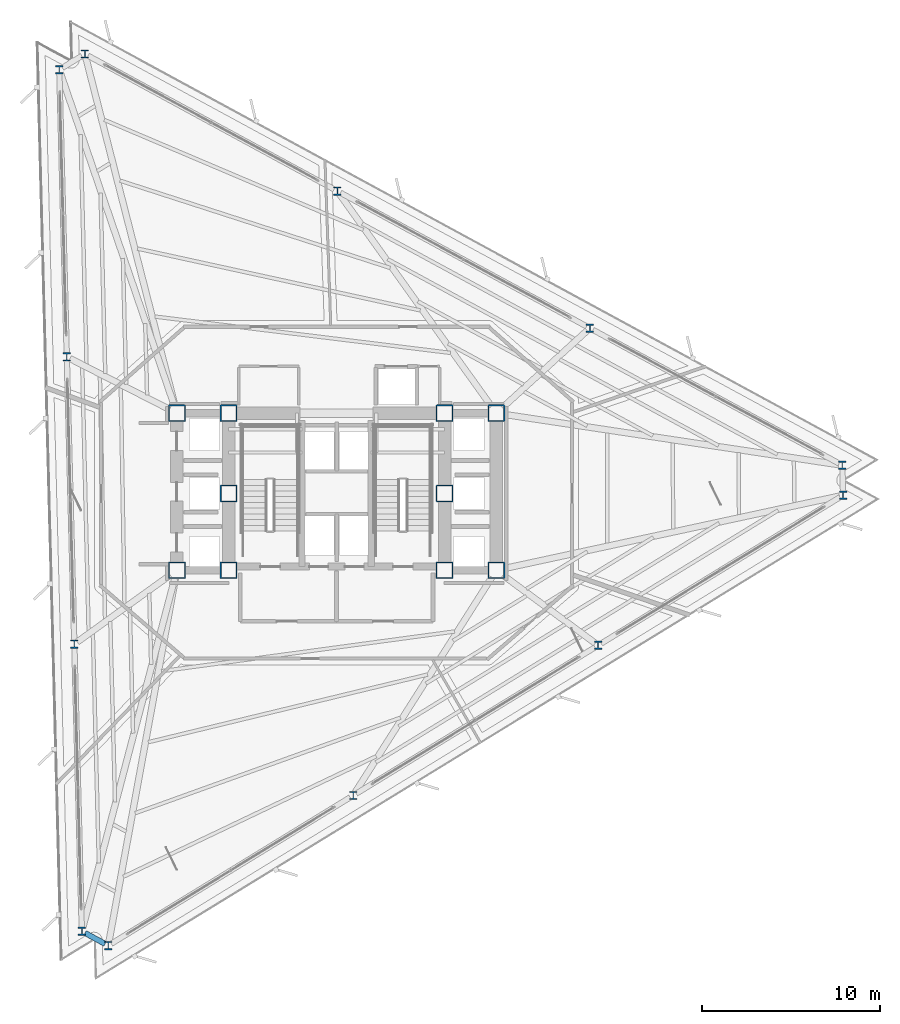
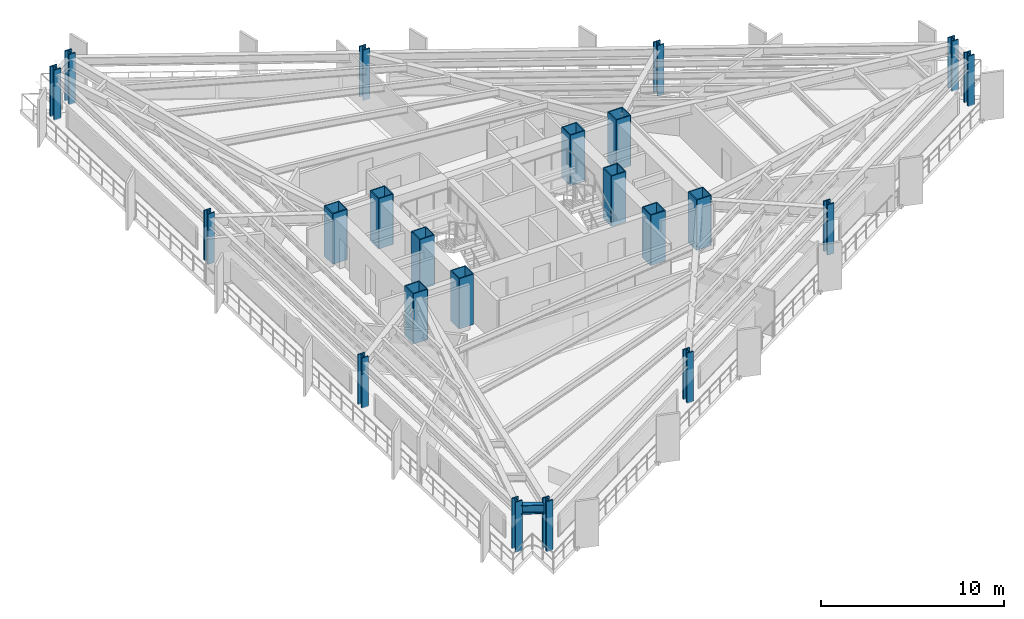
# One storey, part 1 of 14: 22 columns, 1 beam.
"""IFC4 building model written with IfcOpenShell, lengths in metres."""

from ifc_helpers import new_model, si_unit, direction, frame, origin, origin_2d, place, context, subcontext, project, spatial, hollow_rectangle, i_section, extrude, material, material_profile, profile_set, type_object, element, save


model = new_model("IFC4")

# Units and contexts
model_context = context("Model", 3, precision=1e-05, world=origin(), true_north=direction((0.0, 1.0)))
body_context = subcontext(model_context, "Body", "Model", "MODEL_VIEW")
ifc_project = project(units=[si_unit("LENGTHUNIT", "METRE"), si_unit("AREAUNIT", "SQUARE_METRE"), si_unit("VOLUMEUNIT", "CUBIC_METRE"), si_unit("PLANEANGLEUNIT", "RADIAN"), si_unit("MASSUNIT", "GRAM", prefix="KILO")], contexts=[model_context])

# Site, building, storey
site_placement = place(None, origin())
site = spatial("IfcSite", under=ifc_project, at=site_placement, CompositionType="ELEMENT")
building_placement = place(site_placement, origin())
building = spatial("IfcBuilding", under=site, at=building_placement, Name="Rocaltana Carrier Exchange", CompositionType="ELEMENT")
storey_placement = place(building_placement, frame((0.0, 0.0, 42.39990234375)))
storey = spatial("IfcBuildingStorey", under=building, at=storey_placement, Name="L13", CompositionType="ELEMENT", Elevation=42.39990234375)

# Columns
ifc_material_1 = material(Name="Steel S460", Category="steel")
ifc_material_profile_1 = material_profile(ifc_material_1, hollow_rectangle(XDim=0.949951171875, YDim=0.949951171875, WallThickness=0.06005859375, InnerFilletRadius=0.02001953125, OuterFilletRadius=0.0400390625, at=origin_2d()), Name="BOX950X950X60")
ifc_profile_set_1 = profile_set([ifc_material_profile_1], Name="Steel S460")
column_type_1 = type_object("IfcColumnType", Name="Core Mega-Column BOX950", PredefinedType="COLUMN", material=ifc_profile_set_1)
for number, where, z_axis, x_axis, name in (
    (1, (-6.050048828125, 4.5, 0.0), (0.0, 0.0, 1.0), (1.0, 0.0, 0.0), "L13 Core Mega-Column MC1"),
    (2, (6.050048828125, 4.5, 0.0), (0.0, 0.0, 1.0), (1.0, 0.0, 0.0), "L13 Core Mega-Column MC2"),
    (3, (-6.050048828125, 0.0, 0.0), (0.0, 0.0, 1.0), (1.0, 0.0, 0.0), "L13 Core Mega-Column MC3"),
    (4, (6.050048828125, 0.0, 0.0), (0.0, 0.0, 1.0), (1.0, 0.0, 0.0), "L13 Core Mega-Column MC4"),
    (5, (-6.050048828125, -4.300048828125, 0.0), (0.0, 0.0, 1.0), (1.0, 0.0, 0.0), "L13 Core Mega-Column MC5"),
    (6, (6.050048828125, -4.300048828125, 0.0), (0.0, 0.0, 1.0), (1.0, 0.0, 0.0), "L13 Core Mega-Column MC6"),
    (7, (-8.949951171875, 4.5, 0.0), (0.0, 0.0, 1.0), (1.0, 0.0, 0.0), "L13 West Core Column WC1"),
    (8, (-8.949951171875, -4.300048828125, 0.0), (0.0, 0.0, 1.0), (1.0, 0.0, 0.0), "L13 West Core Column WC2"),
    (9, (8.949951171875, 4.5, 0.0), (0.0, 0.0, 1.0), (1.0, 0.0, 0.0), "L13 East Core Column EC1"),
    (10, (8.949951171875, -4.300048828125, 0.0), (0.0, 0.0, 1.0), (1.0, 0.0, 0.0), "L13 East Core Column EC2"),
):
    element("IfcColumn", number, at=place(storey_placement, frame(where, z_axis=z_axis, x_axis=x_axis)), inside=storey, type_object=column_type_1, Name=name, PredefinedType="COLUMN", context=body_context, shape_type="SweptSolid", body=[
        extrude(hollow_rectangle(XDim=0.949951171875, YDim=0.949951171875, WallThickness=0.06005859375, InnerFilletRadius=0.02001953125, OuterFilletRadius=0.0400390625, at=origin_2d()), origin(), (0.0, 0.0, 1.0), 3.360107421875),
    ])
ifc_material_2 = material(Name="Steel S460", Category="steel")
ifc_material_profile_2 = material_profile(ifc_material_2, i_section(OverallWidth=0.424072265625, OverallDepth=0.47412109375, WebThickness=0.047607421875, FlangeThickness=0.0771484375, FilletRadius=0.02490234375, at=origin_2d()), Name="W14X426")
ifc_profile_set_2 = profile_set([ifc_material_profile_2], Name="Steel S460")
column_type_2 = type_object("IfcColumnType", Name="Perimeter Column W14X426", PredefinedType="COLUMN", material=ifc_profile_set_2)
for number, where, z_axis, x_axis, name in (
    (11, (28.340576171875, 1.5849609375, 0.0), (0.0, 0.0, 1.0), (1.0, 0.0, 0.0), "L13 Perimeter Column TC01"),
    (12, (14.191650390625, 9.26708984375, 0.0), (0.0, 0.0, 1.0), (1.0, 0.0, 0.0), "L13 Perimeter Column TC02"),
    (13, (0.042724609375, 16.949462890625, 0.0), (0.0, 0.0, 1.0), (1.0, 0.0, 0.0), "L13 Perimeter Column TC03"),
    (14, (-14.106201171875, 24.631591796875, 0.0), (0.0, 0.0, 1.0), (1.0, 0.0, 0.0), "L13 Perimeter Column TC04"),
    (15, (-15.54296875, 23.751220703125, 0.0), (0.0, 0.0, 1.0), (1.0, 0.0, 0.0), "L13 Perimeter Column TC05"),
    (16, (-15.121337890625, 7.65673828125, 0.0), (0.0, 0.0, 1.0), (1.0, 0.0, 0.0), "L13 Perimeter Column TC06"),
    (17, (-14.699951171875, -8.437744140625, 0.0), (0.0, 0.0, 1.0), (1.0, 0.0, 0.0), "L13 Perimeter Column TC07"),
    (18, (-14.278564453125, -24.5322265625, 0.0), (0.0, 0.0, 1.0), (1.0, 0.0, 0.0), "L13 Perimeter Column TC08"),
    (19, (-12.7978515625, -25.336181640625, 0.0), (0.0, 0.0, 1.0), (1.0, 0.0, 0.0), "L13 Perimeter Column TC09"),
    (20, (0.9296875, -16.923828125, 0.0), (0.0, 0.0, 1.0), (1.0, 0.0, 0.0), "L13 Perimeter Column TC10"),
    (21, (14.6572265625, -8.51171875, 0.0), (0.0, 0.0, 1.0), (1.0, 0.0, 0.0), "L13 Perimeter Column TC11"),
    (22, (28.384765625, -0.099609375, 0.0), (0.0, 0.0, 1.0), (1.0, 0.0, 0.0), "L13 Perimeter Column TC12"),
):
    element("IfcColumn", number, at=place(storey_placement, frame(where, z_axis=z_axis, x_axis=x_axis)), inside=storey, type_object=column_type_2, Name=name, PredefinedType="COLUMN", context=body_context, shape_type="SweptSolid", body=[
        extrude(i_section(OverallWidth=0.424072265625, OverallDepth=0.47412109375, WebThickness=0.047607421875, FlangeThickness=0.0771484375, FilletRadius=0.02490234375, at=origin_2d()), origin(), (0.0, 0.0, 1.0), 3.360107421875),
    ])

# Beam
ifc_material_3 = material(Name="Steel S355", Category="steel")
ifc_material_profile_3 = material_profile(ifc_material_3, i_section(OverallWidth=0.300048828125, OverallDepth=0.60009765625, WebThickness=0.015380859375, FlangeThickness=0.030029296875, FilletRadius=0.027099609375, at=origin_2d()), Name="HEB600")
ifc_profile_set_3 = profile_set([ifc_material_profile_3], Name="Steel S355")
beam_type = type_object("IfcBeamType", Name="Spandrel Edge Beam HEB600", PredefinedType="SPANDREL", material=ifc_profile_set_3)
beam_placement = place(storey_placement, frame((-14.09912109375, -24.62939453125, 2.738037109375), z_axis=(0.878690764039, -0.477391392038, 0.0), x_axis=(0.477391392038, 0.878690764039, 0.0)))
element("IfcBeam", 23, at=beam_placement, inside=storey, type_object=beam_type, Name="SP-L13-08", PredefinedType="SPANDREL", context=body_context, shape_type="SweptSolid", body=[
    extrude(i_section(OverallWidth=0.300048828125, OverallDepth=0.60009765625, WebThickness=0.015380859375, FlangeThickness=0.030029296875, FilletRadius=0.027099609375, at=origin_2d()), origin(), (0.0, 0.0, 1.0), 1.277099609375),
])

save(model, "model.ifc")
